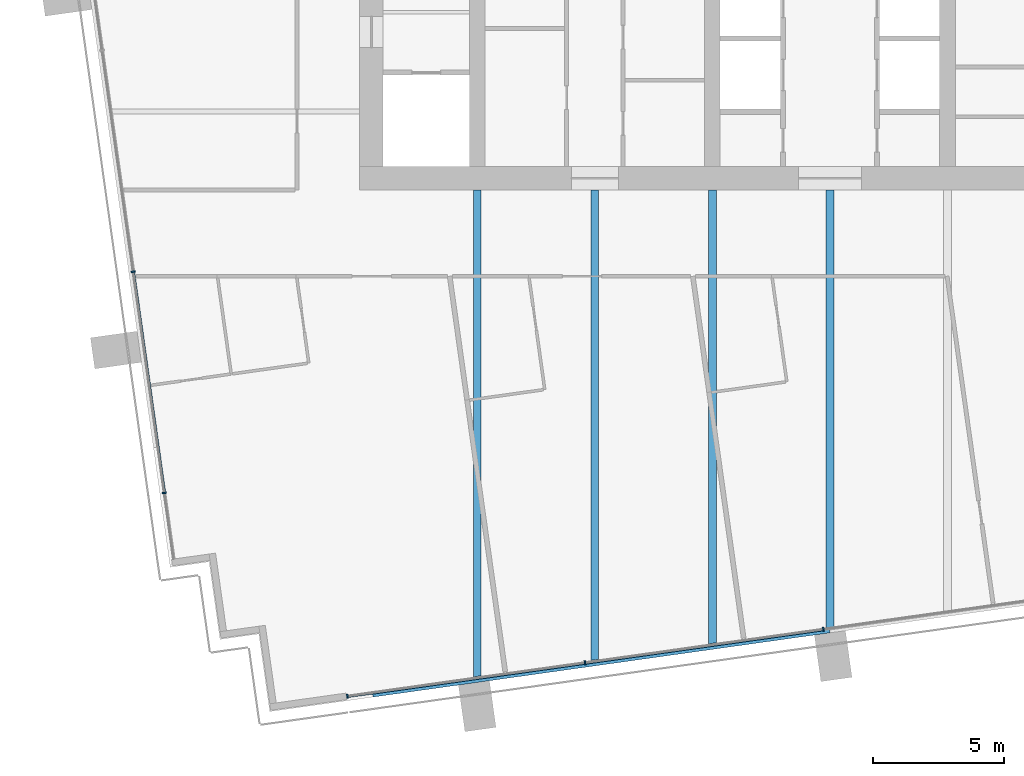
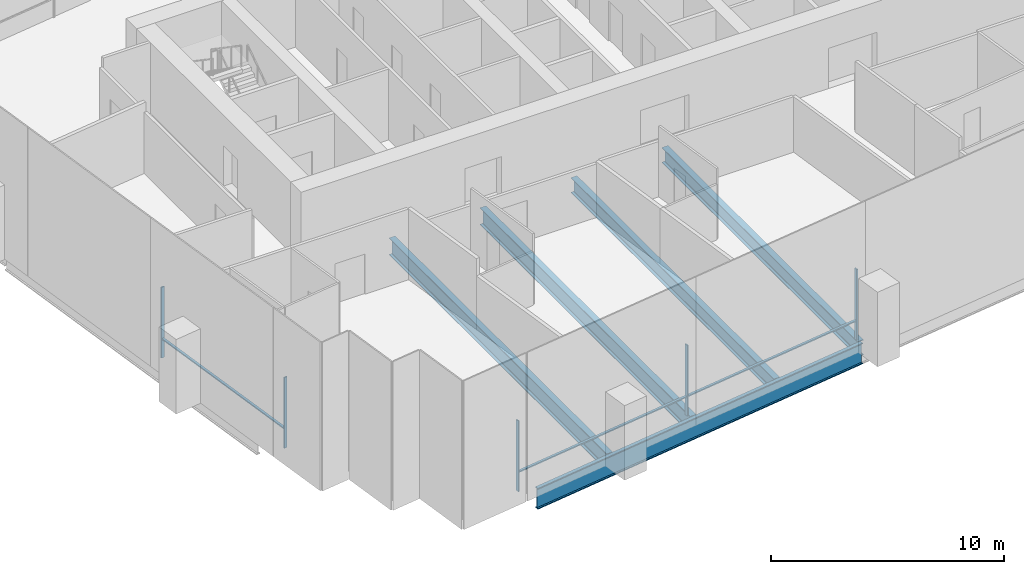
# One storey, part 2 of 17: 8 members, 5 beams, 2 elements without a shape of their own.
"""IFC4 building model written with IfcOpenShell, lengths in metres."""

from ifc_helpers import new_model, si_unit, direction, frame, origin, origin_2d, place, context, subcontext, project, spatial, rectangle, i_section, extrude, material, material_profile, profile_set, type_object, element, aggregate, save


model = new_model("IFC4")

# Units and contexts
model_context = context("Model", 3, precision=1e-05, world=origin(), true_north=direction((0.0, 1.0)))
body_context = subcontext(model_context, "Body", "Model", "MODEL_VIEW")
ifc_project = project(units=[si_unit("LENGTHUNIT", "METRE"), si_unit("AREAUNIT", "SQUARE_METRE"), si_unit("VOLUMEUNIT", "CUBIC_METRE"), si_unit("PLANEANGLEUNIT", "RADIAN"), si_unit("MASSUNIT", "GRAM", prefix="KILO")], contexts=[model_context])

# Site, building, storey
site_placement = place(None, origin())
site = spatial("IfcSite", under=ifc_project, at=site_placement, CompositionType="ELEMENT")
building_placement = place(site_placement, origin())
building = spatial("IfcBuilding", under=site, at=building_placement, Name="Rattan Terrace Tower", CompositionType="ELEMENT")
storey_placement = place(building_placement, frame((0.0, 0.0, 191.89990234375)))
storey = spatial("IfcBuildingStorey", under=building, at=storey_placement, Name="L44", CompositionType="ELEMENT", Elevation=191.89990234375)

# Curtain wall, members
ifc_material_1 = material(Name="Aluminium and glass", Category="aluminium")
curtain_wall_type = type_object("IfcCurtainWallType", Name="Facade Unitised Curtain Wall", PredefinedType="NOTDEFINED", material=ifc_material_1)
curtain_wall_1_placement = place(storey_placement, origin())
curtain_wall_1 = element("IfcCurtainWall", 1, at=curtain_wall_1_placement, inside=storey, type_object=curtain_wall_type, Name="Curtain wall L44-3", PredefinedType="NOTDEFINED")
ifc_material_2 = material(Name="Aluminium", Category="aluminium")
ifc_material_profile_1 = material_profile(ifc_material_2, rectangle(XDim=0.06005859375, YDim=0.159912109375, at=origin_2d()), Name="Aluminium 60x160")
ifc_profile_set_1 = profile_set([ifc_material_profile_1], Name="Aluminium")
member_type_1 = type_object("IfcMemberType", Name="Facade CW Mullion 60x160", PredefinedType="MULLION", material=ifc_profile_set_1)
member_1_placement = place(storey_placement, frame((-26.66748046875, -10.6259765625, 0.0), z_axis=(0.0, 0.0, 1.0), x_axis=(0.139190856006, -0.99026557327, 0.0)))
member_1 = element("IfcMember", 2, at=member_1_placement, type_object=member_type_1, Name="Mullion cwl-L44-003.3", PredefinedType="MULLION", context=body_context, shape_type="SweptSolid", body=[
    extrude(rectangle(XDim=0.06005859375, YDim=0.159912109375, at=origin_2d()), origin(), (0.0, 0.0, 1.0), 3.7001953125),
])
member_2_placement = place(storey_placement, frame((-25.477294921875, -19.092529296875, 0.0), z_axis=(0.0, 0.0, 1.0), x_axis=(0.139190856006, -0.99026557327, 0.0)))
member_2 = element("IfcMember", 3, at=member_2_placement, type_object=member_type_1, Name="Mullion cwl-L44-003.4", PredefinedType="MULLION", context=body_context, shape_type="SweptSolid", body=[
    extrude(rectangle(XDim=0.06005859375, YDim=0.159912109375, at=origin_2d()), origin(), (0.0, 0.0, 1.0), 3.7001953125),
])

curtain_wall_2_placement = place(storey_placement, origin())
curtain_wall_2 = element("IfcCurtainWall", 4, at=curtain_wall_2_placement, inside=storey, type_object=curtain_wall_type, Name="Curtain wall L44-4", PredefinedType="NOTDEFINED")
member_3_placement = place(storey_placement, frame((-18.467041015625, -26.87255859375, 0.0), z_axis=(0.0, 0.0, 1.0), x_axis=(0.990269702686, 0.139161474347, 0.0)))
member_3 = element("IfcMember", 5, at=member_3_placement, type_object=member_type_1, Name="Mullion cwl-L44-004.1", PredefinedType="MULLION", context=body_context, shape_type="SweptSolid", body=[
    extrude(rectangle(XDim=0.06005859375, YDim=0.159912109375, at=origin_2d()), origin(), (0.0, 0.0, 1.0), 3.7001953125),
])
member_4_placement = place(storey_placement, frame((-9.373291015625, -25.594482421875, 0.0), z_axis=(0.0, 0.0, 1.0), x_axis=(0.990269702686, 0.139161474347, 0.0)))
member_4 = element("IfcMember", 6, at=member_4_placement, type_object=member_type_1, Name="Mullion cwl-L44-004.2", PredefinedType="MULLION", context=body_context, shape_type="SweptSolid", body=[
    extrude(rectangle(XDim=0.06005859375, YDim=0.159912109375, at=origin_2d()), origin(), (0.0, 0.0, 1.0), 3.7001953125),
])
member_5_placement = place(storey_placement, frame((-0.25, -24.3125, 0.0), z_axis=(0.0, 0.0, 1.0), x_axis=(0.990269702686, 0.139161474347, 0.0)))
member_5 = element("IfcMember", 7, at=member_5_placement, type_object=member_type_1, Name="Mullion cwl-L44-004.3", PredefinedType="MULLION", context=body_context, shape_type="SweptSolid", body=[
    extrude(rectangle(XDim=0.06005859375, YDim=0.159912109375, at=origin_2d()), origin(), (0.0, 0.0, 1.0), 3.7001953125),
])

# Member
ifc_material_3 = material(Name="Aluminium", Category="aluminium")
ifc_material_profile_2 = material_profile(ifc_material_3, rectangle(XDim=0.1201171875, YDim=0.06005859375, at=origin_2d()), Name="Aluminium 120x60")
ifc_profile_set_2 = profile_set([ifc_material_profile_2], Name="Aluminium")
member_type_2 = type_object("IfcMemberType", Name="Facade CW Transom 120x60", PredefinedType="USERDEFINED", material=ifc_profile_set_2)
member_6_placement = place(storey_placement, frame((-26.663330078125, -10.655517578125, 1.0), z_axis=(0.139178607515, -0.99026729483, 0.0), x_axis=(0.99026729483, 0.139178607515, 0.0)))
member_6 = element("IfcMember", 8, at=member_6_placement, type_object=member_type_2, Name="Transom cwl-L44-003.3", ObjectType="TRANSOM", PredefinedType="USERDEFINED", context=body_context, shape_type="SweptSolid", body=[
    extrude(rectangle(XDim=0.1201171875, YDim=0.06005859375, at=origin_2d()), origin(), (0.0, 0.0, 1.0), 8.489990234375),
])

aggregate(curtain_wall_1, [member_1, member_2, member_6])

member_7_placement = place(storey_placement, frame((-18.437255859375, -26.868408203125, 1.0), z_axis=(0.990266494002, 0.139184305354, 0.0), x_axis=(-0.139184305354, 0.990266494002, 0.0)))
member_7 = element("IfcMember", 9, at=member_7_placement, type_object=member_type_2, Name="Transom cwl-L44-004.1", ObjectType="TRANSOM", PredefinedType="USERDEFINED", context=body_context, shape_type="SweptSolid", body=[
    extrude(rectangle(XDim=0.1201171875, YDim=0.06005859375, at=origin_2d()), origin(), (0.0, 0.0, 1.0), 9.123046875),
])

member_8_placement = place(storey_placement, frame((-9.343505859375, -25.59033203125, 1.0), z_axis=(0.990270711765, 0.139154293575, 0.0), x_axis=(-0.139154293575, 0.990270711765, 0.0)))
member_8 = element("IfcMember", 10, at=member_8_placement, type_object=member_type_2, Name="Transom cwl-L44-004.2", ObjectType="TRANSOM", PredefinedType="USERDEFINED", context=body_context, shape_type="SweptSolid", body=[
    extrude(rectangle(XDim=0.1201171875, YDim=0.06005859375, at=origin_2d()), origin(), (0.0, 0.0, 1.0), 9.153076171875),
])

aggregate(curtain_wall_2, [member_3, member_4, member_5, member_7, member_8])

# Beams
ifc_material_4 = material(Name="Steel S460", Category="steel")
ifc_material_profile_3 = material_profile(ifc_material_4, i_section(OverallWidth=0.179931640625, OverallDepth=1.10009765625, WebThickness=0.01611328125, FlangeThickness=0.050048828125, at=origin_2d()), Name="PG 1100x180-16-50")
ifc_profile_set_3 = profile_set([ifc_material_profile_3], Name="Steel S460")
beam_type_1 = type_object("IfcBeamType", Name="Frame edge girder PG 1100x180-16-50", PredefinedType="SPANDREL", material=ifc_profile_set_3)
beam_1_placement = place(storey_placement, frame((-17.4990234375, -26.818115234375, -0.75), z_axis=(0.990264173921, 0.139200811234, 0.0), x_axis=(-0.139200811234, 0.990264173921, 0.0)))
element("IfcBeam", 11, at=beam_1_placement, inside=storey, type_object=beam_type_1, Name="gdr-L44-001", PredefinedType="SPANDREL", context=body_context, shape_type="SweptSolid", body=[
    extrude(i_section(OverallWidth=0.179931640625, OverallDepth=1.10009765625, WebThickness=0.01611328125, FlangeThickness=0.050048828125, at=origin_2d()), origin(), (0.0, 0.0, 1.0), 17.657958984375),
])
ifc_material_5 = material(Name="Steel S355", Category="steel")
ifc_material_profile_4 = material_profile(ifc_material_5, i_section(OverallWidth=0.300048828125, OverallDepth=0.800048828125, WebThickness=0.017578125, FlangeThickness=0.032958984375, FilletRadius=0.030029296875, at=origin_2d()), Name="HE 800 B")
ifc_profile_set_4 = profile_set([ifc_material_profile_4], Name="Steel S355")
beam_type_2 = type_object("IfcBeamType", Name="Frame floor beam HE 800 B", PredefinedType="JOIST", material=ifc_profile_set_4)
beam_2_placement = place(storey_placement, frame((-4.5, -24.87890625, -0.599853515625), z_axis=(0.0, 1.0, 0.0), x_axis=(-1.0, 0.0, 0.0)))
element("IfcBeam", 12, at=beam_2_placement, inside=storey, type_object=beam_type_2, Name="bm-L44-005", PredefinedType="JOIST", context=body_context, shape_type="SweptSolid", body=[
    extrude(i_section(OverallWidth=0.300048828125, OverallDepth=0.800048828125, WebThickness=0.017578125, FlangeThickness=0.032958984375, FilletRadius=0.030029296875, at=origin_2d()), origin(), (0.0, 0.0, 1.0), 17.37890625),
])
beam_3_placement = place(storey_placement, frame((0.0, -24.24609375, -0.599853515625), z_axis=(0.0, 1.0, 0.0), x_axis=(-1.0, 0.0, 0.0)))
element("IfcBeam", 13, at=beam_3_placement, inside=storey, type_object=beam_type_2, Name="bm-L44-006", PredefinedType="JOIST", context=body_context, shape_type="SweptSolid", body=[
    extrude(i_section(OverallWidth=0.300048828125, OverallDepth=0.800048828125, WebThickness=0.017578125, FlangeThickness=0.032958984375, FilletRadius=0.030029296875, at=origin_2d()), origin(), (0.0, 0.0, 1.0), 16.74609375),
])
ifc_material_6 = material(Name="Steel S355", Category="steel")
ifc_material_profile_5 = material_profile(ifc_material_6, i_section(OverallWidth=0.300048828125, OverallDepth=0.89990234375, WebThickness=0.0185546875, FlangeThickness=0.034912109375, FilletRadius=0.030029296875, at=origin_2d()), Name="HE 900 B")
ifc_profile_set_5 = profile_set([ifc_material_profile_5], Name="Steel S355")
beam_type_3 = type_object("IfcBeamType", Name="Frame floor beam HE 900 B", PredefinedType="JOIST", material=ifc_profile_set_5)
beam_4_placement = place(storey_placement, frame((-13.5, -26.14404296875, -0.64990234375), z_axis=(0.0, 1.0, 0.0), x_axis=(-1.0, 0.0, 0.0)))
element("IfcBeam", 14, at=beam_4_placement, inside=storey, type_object=beam_type_3, Name="bm-L44-003", PredefinedType="JOIST", context=body_context, shape_type="SweptSolid", body=[
    extrude(i_section(OverallWidth=0.300048828125, OverallDepth=0.89990234375, WebThickness=0.0185546875, FlangeThickness=0.034912109375, FilletRadius=0.030029296875, at=origin_2d()), origin(), (0.0, 0.0, 1.0), 18.64404296875),
])
beam_5_placement = place(storey_placement, frame((-9.0, -25.510986328125, -0.64990234375), z_axis=(0.0, 1.0, 0.0), x_axis=(-1.0, 0.0, 0.0)))
element("IfcBeam", 15, at=beam_5_placement, inside=storey, type_object=beam_type_3, Name="bm-L44-004", PredefinedType="JOIST", context=body_context, shape_type="SweptSolid", body=[
    extrude(i_section(OverallWidth=0.300048828125, OverallDepth=0.89990234375, WebThickness=0.0185546875, FlangeThickness=0.034912109375, FilletRadius=0.030029296875, at=origin_2d()), origin(), (0.0, 0.0, 1.0), 18.010986328125),
])

save(model, "model.ifc")
